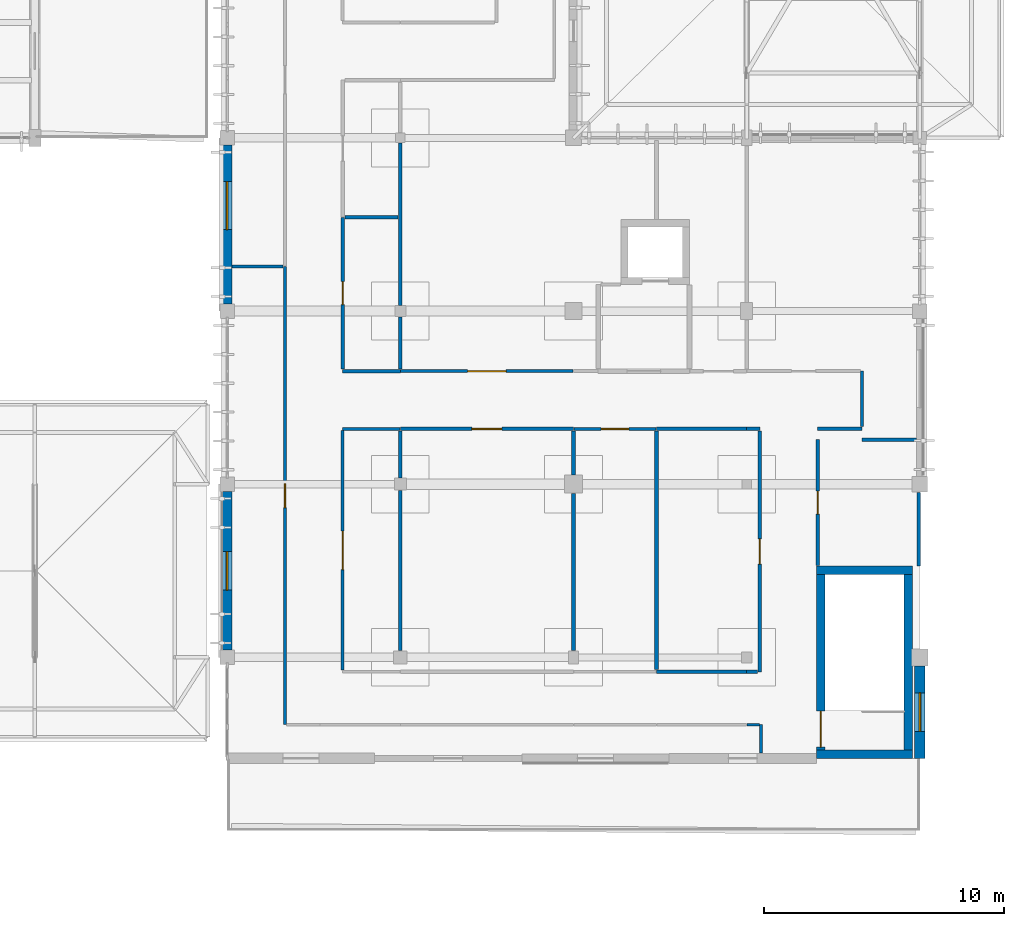
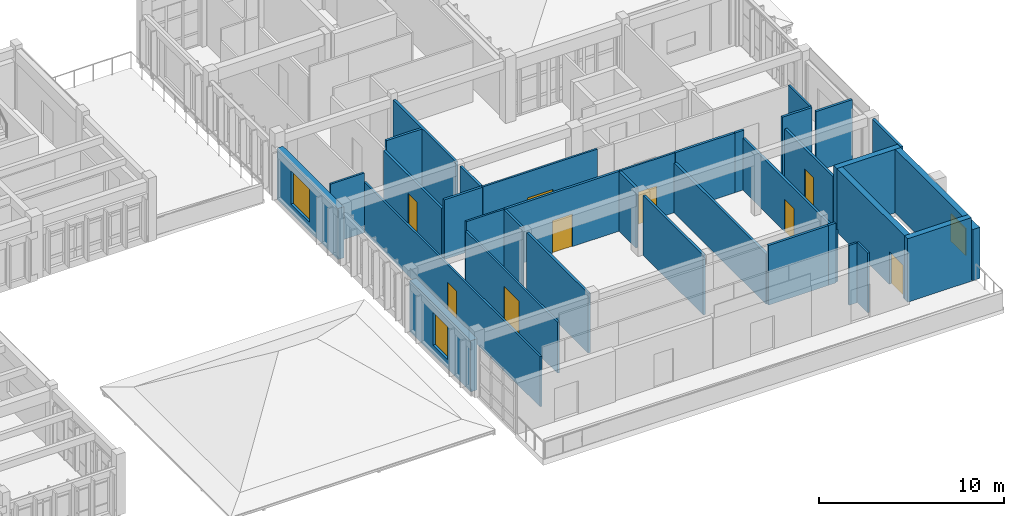
# One storey, part 34 of 51: 36 walls, 9 doors, 3 windows, 12 openings.
"""IFC4 building model written with IfcOpenShell, lengths in metres."""

from ifc_helpers import new_model, si_unit, direction, frame, frame_2d, origin, place, context, subcontext, project, spatial, rectangle, extrude, material, layer, layer_set, type_object, element, fill, save


model = new_model("IFC4")

# Units and contexts
model_context = context("Model", 3, precision=1e-05, world=origin(), true_north=direction((0.0, 1.0)))
body_context = subcontext(model_context, "Body", "Model", "MODEL_VIEW")
ifc_project = project(units=[si_unit("LENGTHUNIT", "METRE"), si_unit("AREAUNIT", "SQUARE_METRE"), si_unit("VOLUMEUNIT", "CUBIC_METRE"), si_unit("PLANEANGLEUNIT", "RADIAN"), si_unit("MASSUNIT", "GRAM", prefix="KILO")], contexts=[model_context])

# Site, building, storey
site_placement = place(None, origin())
site = spatial("IfcSite", under=ifc_project, at=site_placement, CompositionType="ELEMENT")
building_placement = place(site_placement, origin())
building = spatial("IfcBuilding", under=site, at=building_placement, Name="Steenspoor Specialist Clinic", CompositionType="ELEMENT")
storey_placement = place(building_placement, frame((0.0, 0.0, 17.39990234375)))
storey = spatial("IfcBuildingStorey", under=building, at=storey_placement, Name="L04", CompositionType="ELEMENT", Elevation=17.39990234375)

# Wall, opening, window
ifc_material_1 = material(Name="Extruded clay brick masonry", Category="masonry")
ifc_layer_1 = layer(ifc_material_1, 0.3798828125)
ifc_layer_set_1 = layer_set([ifc_layer_1], Name="Extruded clay brick masonry")
wall_type_1 = type_object("IfcWallType", Name="W-BRICK-380", PredefinedType="USERDEFINED", material=ifc_layer_set_1)
wall_1_placement = place(storey_placement, frame((118.0, 87.050048828125, 0.0), z_axis=(0.0, 0.0, 1.0), x_axis=(0.0, 1.0, 0.0)))
wall_1 = element("IfcWall", 1, at=wall_1_placement, inside=storey, type_object=wall_type_1, Name="Exterior Brick Wall EW-V6-L04-0358", ObjectType="CAVITY VENEER", PredefinedType="USERDEFINED", context=body_context, shape_type="SweptSolid", body=[
    extrude(rectangle(XDim=6.599853515625, YDim=0.3798828125, at=frame_2d((3.2998046875, 0.0))), origin(), (0.0, 0.0, 1.0), 3.380126953125),
])
opening_1_placement = place(wall_1_placement, frame((3.0849609375, 0.0, 0.60009765625)))
opening_1 = element("IfcOpeningElement", 2, at=opening_1_placement, cuts=wall_1, Name="Opening WN-17", PredefinedType="OPENING", context=body_context, shape_type="SweptSolid", body=[
    extrude(rectangle(XDim=2.0, YDim=2.199951171875, at=frame_2d((1.0, 1.10009765625))), frame((0.0, 0.199951171875, 0.0), z_axis=(0.0, -1.0, 0.0), x_axis=(1.0, 0.0, 0.0)), (0.0, 0.0, 1.0), 0.39990234375),
])
ifc_material_2 = material(Name="Thermally broken aluminium and low-emissivity glass", Category="aluminium")
window_type_1 = type_object("IfcWindowType", Name="WN-EXT-200X220", PartitioningType="SINGLE_PANEL", PredefinedType="WINDOW", material=ifc_material_2)
window_1_placement = place(opening_1_placement, origin())
window_1 = element("IfcWindow", 3, at=window_1_placement, inside=storey, type_object=window_type_1, Name="Window 0373", OverallHeight=2.199951171875, OverallWidth=2.0, PartitioningType="SINGLE_PANEL", PredefinedType="WINDOW", context=body_context, shape_type="SweptSolid", body=[
    extrude(rectangle(XDim=2.0, YDim=2.199951171875, at=frame_2d((1.0, 1.10009765625))), frame((0.0, 0.030029296875, 0.0), z_axis=(0.0, -1.0, 0.0), x_axis=(1.0, 0.0, 0.0)), (0.0, 0.0, 1.0), 0.06005859375),
])
fill(opening_1, window_1)

ifc_layer_2 = layer(ifc_material_1, 0.409912109375)
ifc_layer_set_2 = layer_set([ifc_layer_2], Name="Extruded clay brick masonry")
wall_type_2 = type_object("IfcWallType", Name="W-BRICK-410", PredefinedType="USERDEFINED", material=ifc_layer_set_2)
wall_2_placement = place(storey_placement, frame((118.0, 72.64990234375, 0.0), z_axis=(0.0, 0.0, 1.0), x_axis=(0.0, 1.0, 0.0)))
wall_2 = element("IfcWall", 4, at=wall_2_placement, inside=storey, type_object=wall_type_2, Name="Exterior Brick Wall EW-V6-L04-0357", ObjectType="CAVITY VENEER", PredefinedType="USERDEFINED", context=body_context, shape_type="SweptSolid", body=[
    extrude(rectangle(XDim=6.60009765625, YDim=0.409912109375, at=frame_2d((3.300048828125, 0.0))), origin(), (0.0, 0.0, 1.0), 3.380126953125),
])
opening_2_placement = place(wall_2_placement, frame((2.5, 0.0, 0.60009765625)))
opening_2 = element("IfcOpeningElement", 5, at=opening_2_placement, cuts=wall_2, Name="Opening WN-16", PredefinedType="OPENING", context=body_context, shape_type="SweptSolid", body=[
    extrude(rectangle(XDim=1.60009765625, YDim=2.199951171875, at=frame_2d((0.800048828125, 1.10009765625))), frame((0.0, 0.21484375, 0.0), z_axis=(0.0, -1.0, 0.0), x_axis=(1.0, 0.0, 0.0)), (0.0, 0.0, 1.0), 0.429931640625),
])
window_type_2 = type_object("IfcWindowType", Name="WN-EXT-160X220", PartitioningType="SINGLE_PANEL", PredefinedType="WINDOW", material=ifc_material_2)
window_2_placement = place(opening_2_placement, origin())
window_2 = element("IfcWindow", 6, at=window_2_placement, inside=storey, type_object=window_type_2, Name="Window 0372", OverallHeight=2.199951171875, OverallWidth=1.60009765625, PartitioningType="SINGLE_PANEL", PredefinedType="WINDOW", context=body_context, shape_type="SweptSolid", body=[
    extrude(rectangle(XDim=1.60009765625, YDim=2.199951171875, at=frame_2d((0.800048828125, 1.10009765625))), frame((0.0, 0.030029296875, 0.0), z_axis=(0.0, -1.0, 0.0), x_axis=(1.0, 0.0, 0.0)), (0.0, 0.0, 1.0), 0.06005859375),
])
fill(opening_2, window_2)

ifc_layer_3 = layer(ifc_material_1, 0.43994140625)
ifc_layer_set_3 = layer_set([ifc_layer_3], Name="Extruded clay brick masonry")
wall_type_3 = type_object("IfcWallType", Name="W-BRICK-440", PredefinedType="USERDEFINED", material=ifc_layer_set_3)
wall_3_placement = place(storey_placement, frame((146.800048828125, 72.0, 0.0), z_axis=(0.0, 0.0, 1.0), x_axis=(0.0, -1.0, 0.0)))
wall_3 = element("IfcWall", 7, at=wall_3_placement, inside=storey, type_object=wall_type_3, Name="Exterior Brick Wall EW-V6-L04-0352", ObjectType="CAVITY VENEER", PredefinedType="USERDEFINED", context=body_context, shape_type="SweptSolid", body=[
    extrude(rectangle(XDim=3.85009765625, YDim=0.43994140625, at=frame_2d((1.925048828125, 0.0))), origin(), (0.0, 0.0, 1.0), 3.380126953125),
])
opening_3_placement = place(wall_3_placement, frame((1.125, 0.0, 0.89990234375)))
opening_3 = element("IfcOpeningElement", 8, at=opening_3_placement, cuts=wall_3, Name="Opening WN-07", PredefinedType="OPENING", context=body_context, shape_type="SweptSolid", body=[
    extrude(rectangle(XDim=1.60009765625, YDim=1.800048828125, at=frame_2d((0.800048828125, 0.89990234375))), frame((0.0, 0.22998046875, 0.0), z_axis=(0.0, -1.0, 0.0), x_axis=(1.0, 0.0, 0.0)), (0.0, 0.0, 1.0), 0.4599609375),
])
window_type_3 = type_object("IfcWindowType", Name="WN-EXT-160X180", PartitioningType="SINGLE_PANEL", PredefinedType="WINDOW", material=ifc_material_2)
window_3_placement = place(opening_3_placement, origin())
window_3 = element("IfcWindow", 9, at=window_3_placement, inside=storey, type_object=window_type_3, Name="Window 0371", OverallHeight=1.800048828125, OverallWidth=1.60009765625, PartitioningType="SINGLE_PANEL", PredefinedType="WINDOW", context=body_context, shape_type="SweptSolid", body=[
    extrude(rectangle(XDim=1.60009765625, YDim=1.800048828125, at=frame_2d((0.800048828125, 0.89990234375))), frame((0.0, 0.030029296875, 0.0), z_axis=(0.0, -1.0, 0.0), x_axis=(1.0, 0.0, 0.0)), (0.0, 0.0, 1.0), 0.06005859375),
])
fill(opening_3, window_3)

# Wall, opening, door
ifc_material_3 = material(Name="Gypsum acoustic clinical partition", Category="gypsum")
ifc_layer_4 = layer(ifc_material_3, 0.14990234375)
ifc_layer_set_4 = layer_set([ifc_layer_4], Name="Gypsum acoustic clinical partition")
wall_type_4 = type_object("IfcWallType", Name="W-CLIN-150", PredefinedType="PARTITIONING", material=ifc_layer_set_4)
wall_4_placement = place(storey_placement, frame((142.550048828125, 76.1650390625, 0.0), z_axis=(0.0, 0.0, 1.0), x_axis=(0.0, 1.0, 0.0)))
wall_4 = element("IfcWall", 10, at=wall_4_placement, inside=storey, type_object=wall_type_4, Name="Interior Partition IW-V6-L04-1824", PredefinedType="PARTITIONING", context=body_context, shape_type="SweptSolid", body=[
    extrude(rectangle(XDim=5.23486328125, YDim=0.14990234375, at=frame_2d((2.617431640625, 0.0))), origin(), (0.0, 0.0, 1.0), 3.440185546875),
])
opening_4_placement = place(wall_4_placement, frame((2.142578125, 0.0, 0.0)))
opening_4 = element("IfcOpeningElement", 11, at=opening_4_placement, cuts=wall_4, Name="Opening D0504", PredefinedType="OPENING", context=body_context, shape_type="SweptSolid", body=[
    extrude(rectangle(XDim=0.949951171875, YDim=2.10009765625, at=frame_2d((0.47509765625, 1.050048828125))), frame((0.0, 0.0849609375, 0.0), z_axis=(0.0, -1.0, 0.0), x_axis=(1.0, 0.0, 0.0)), (0.0, 0.0, 1.0), 0.169921875),
])
ifc_material_4 = material(Name="Moisture-resistant HPL sanitary door", Category="wood")
door_type_1 = type_object("IfcDoorType", Name="DT-WC-095X210", OperationType="NOTDEFINED", PredefinedType="DOOR", material=ifc_material_4)
door_1_placement = place(opening_4_placement, origin())
door_1 = element("IfcDoor", 12, at=door_1_placement, inside=storey, type_object=door_type_1, Name="Clinical Door D0504", OperationType="SINGLE_SWING_LEFT", OverallHeight=2.10009765625, OverallWidth=0.949951171875, PredefinedType="DOOR", context=body_context, shape_type="SweptSolid", body=[
    extrude(rectangle(XDim=0.949951171875, YDim=2.10009765625, at=frame_2d((0.47509765625, 1.050048828125))), frame((0.0, 0.02490234375, 0.0), z_axis=(0.0, -1.0, 0.0), x_axis=(1.0, 0.0, 0.0)), (0.0, 0.0, 1.0), 0.050048828125),
])
fill(opening_4, door_1)

# Wall
wall_5_placement = place(storey_placement, frame((142.550048828125, 81.85009765625, 0.0), z_axis=(0.0, 0.0, 1.0), x_axis=(1.0, 0.0, 0.0)))
element("IfcWall", 13, at=wall_5_placement, inside=storey, type_object=wall_type_4, Name="Interior Partition IW-V6-L04-1825", PredefinedType="PARTITIONING", context=body_context, shape_type="SweptSolid", body=[
    extrude(rectangle(XDim=1.849853515625, YDim=0.14990234375, at=frame_2d((0.9248046875, 0.0))), origin(), (0.0, 0.0, 1.0), 3.9501953125),
])

# Wall, opening, door
wall_6_placement = place(storey_placement, frame((125.199951171875, 81.85009765625, 0.0), z_axis=(0.0, 0.0, 1.0), x_axis=(1.0, 0.0, 0.0)))
wall_6 = element("IfcWall", 14, at=wall_6_placement, inside=storey, type_object=wall_type_4, Name="Interior Partition IW-V6-L04-1826", PredefinedType="PARTITIONING", context=body_context, shape_type="SweptSolid", body=[
    extrude(rectangle(XDim=7.199951171875, YDim=0.14990234375, at=frame_2d((3.60009765625, 0.0))), origin(), (0.0, 0.0, 1.0), 3.9501953125),
])
opening_5_placement = place(wall_6_placement, frame((2.97509765625, 0.0, 0.0)))
opening_5 = element("IfcOpeningElement", 15, at=opening_5_placement, cuts=wall_6, Name="Opening D0506", PredefinedType="OPENING", context=body_context, shape_type="SweptSolid", body=[
    extrude(rectangle(XDim=1.25, YDim=2.14990234375, at=frame_2d((0.625, 1.074951171875))), frame((0.0, 0.0849609375, 0.0), z_axis=(0.0, -1.0, 0.0), x_axis=(1.0, 0.0, 0.0)), (0.0, 0.0, 1.0), 0.169921875),
])
ifc_material_5 = material(Name="Hygienic HPL clinical timber door", Category="wood")
door_type_2 = type_object("IfcDoorType", Name="DT-EXAM-125X215", OperationType="NOTDEFINED", PredefinedType="DOOR", material=ifc_material_5)
door_2_placement = place(opening_5_placement, origin())
door_2 = element("IfcDoor", 16, at=door_2_placement, inside=storey, type_object=door_type_2, Name="Clinical Door D0506", OperationType="SINGLE_SWING_LEFT", OverallHeight=2.14990234375, OverallWidth=1.25, PredefinedType="DOOR", context=body_context, shape_type="SweptSolid", body=[
    extrude(rectangle(XDim=1.25, YDim=2.14990234375, at=frame_2d((0.625, 1.074951171875))), frame((0.0, 0.02490234375, 0.0), z_axis=(0.0, -1.0, 0.0), x_axis=(1.0, 0.0, 0.0)), (0.0, 0.0, 1.0), 0.050048828125),
])
fill(opening_5, door_2)

# Wall
wall_7_placement = place(storey_placement, frame((139.60009765625, 81.85009765625, 0.0), z_axis=(0.0, 0.0, 1.0), x_axis=(1.0, 0.0, 0.0)))
element("IfcWall", 17, at=wall_7_placement, inside=storey, type_object=wall_type_4, Name="Interior Partition IW-V6-L04-1828", PredefinedType="PARTITIONING", context=body_context, shape_type="SweptSolid", body=[
    extrude(rectangle(XDim=0.5498046875, YDim=0.14990234375, at=frame_2d((0.27490234375, 0.0))), origin(), (0.0, 0.0, 1.0), 3.9501953125),
])

# Wall, opening, door
wall_8_placement = place(storey_placement, frame((140.14990234375, 71.75, 0.0), z_axis=(0.0, 0.0, 1.0), x_axis=(0.0, 1.0, 0.0)))
wall_8 = element("IfcWall", 18, at=wall_8_placement, inside=storey, type_object=wall_type_4, Name="Interior Partition IW-V6-L04-1829", PredefinedType="PARTITIONING", context=body_context, shape_type="SweptSolid", body=[
    extrude(rectangle(XDim=10.010009765625, YDim=0.14990234375, at=frame_2d((5.0048828125, 0.0))), origin(), (0.0, 0.0, 1.0), 3.440185546875),
])
opening_6_placement = place(wall_8_placement, frame((4.47998046875, 0.0, 0.0)))
opening_6 = element("IfcOpeningElement", 19, at=opening_6_placement, cuts=wall_8, Name="Opening D0508", PredefinedType="OPENING", context=body_context, shape_type="SweptSolid", body=[
    extrude(rectangle(XDim=1.050048828125, YDim=2.14990234375, at=frame_2d((0.52490234375, 1.074951171875))), frame((0.0, 0.0849609375, 0.0), z_axis=(0.0, -1.0, 0.0), x_axis=(1.0, 0.0, 0.0)), (0.0, 0.0, 1.0), 0.169921875),
])
ifc_material_6 = material(Name="Solid-core hardwood office door", Category="wood")
door_type_3 = type_object("IfcDoorType", Name="DT-OFF-105X215", OperationType="NOTDEFINED", PredefinedType="DOOR", material=ifc_material_6)
door_3_placement = place(opening_6_placement, origin())
door_3 = element("IfcDoor", 20, at=door_3_placement, inside=storey, type_object=door_type_3, Name="Clinical Door D0508", OperationType="SINGLE_SWING_LEFT", OverallHeight=2.14990234375, OverallWidth=1.050048828125, PredefinedType="DOOR", context=body_context, shape_type="SweptSolid", body=[
    extrude(rectangle(XDim=1.050048828125, YDim=2.14990234375, at=frame_2d((0.52490234375, 1.074951171875))), frame((0.0, 0.02490234375, 0.0), z_axis=(0.0, -1.0, 0.0), x_axis=(1.0, 0.0, 0.0)), (0.0, 0.0, 1.0), 0.050048828125),
])
fill(opening_6, door_3)

# Walls
wall_9_placement = place(storey_placement, frame((139.60009765625, 71.75, 0.0), z_axis=(0.0, 0.0, 1.0), x_axis=(1.0, 0.0, 0.0)))
element("IfcWall", 21, at=wall_9_placement, inside=storey, type_object=wall_type_4, Name="Interior Partition IW-V6-L04-1830", PredefinedType="PARTITIONING", context=body_context, shape_type="SweptSolid", body=[
    extrude(rectangle(XDim=0.4599609375, YDim=0.14990234375, at=frame_2d((0.22998046875, 0.0))), origin(), (0.0, 0.0, 1.0), 3.9501953125),
])
for number, where, z_axis, x_axis, name in (
    (22, (135.85009765625, 71.75, 0.0), (0.0, 0.0, 1.0), (1.0, 0.0, 0.0), "Interior Partition IW-V6-L04-1831"),
    (23, (135.85009765625, 81.85009765625, 0.0), (0.0, 0.0, 1.0), (1.0, 0.0, 0.0), "Interior Partition IW-V6-L04-1832"),
):
    element("IfcWall", number, at=place(storey_placement, frame(where, z_axis=z_axis, x_axis=x_axis)), inside=storey, type_object=wall_type_4, Name=name, PredefinedType="PARTITIONING", context=body_context, shape_type="SweptSolid", body=[
        extrude(rectangle(XDim=3.73486328125, YDim=0.14990234375, at=frame_2d((1.867431640625, 0.0))), origin(), (0.0, 0.0, 1.0), 3.9501953125),
    ])
wall_10_placement = place(storey_placement, frame((122.800048828125, 84.25, 0.0), z_axis=(0.0, 0.0, 1.0), x_axis=(1.0, 0.0, 0.0)))
element("IfcWall", 24, at=wall_10_placement, inside=storey, type_object=wall_type_4, Name="Interior Partition IW-V6-L04-1833", PredefinedType="PARTITIONING", context=body_context, shape_type="SweptSolid", body=[
    extrude(rectangle(XDim=2.39990234375, YDim=0.14990234375, at=frame_2d((1.199951171875, 0.0))), origin(), (0.0, 0.0, 1.0), 3.9501953125),
])

# Wall, opening, door
wall_11_placement = place(storey_placement, frame((122.800048828125, 84.340087890625, 0.0), z_axis=(0.0, 0.0, 1.0), x_axis=(0.0, 1.0, 0.0)))
wall_11 = element("IfcWall", 25, at=wall_11_placement, inside=storey, type_object=wall_type_4, Name="Interior Partition IW-V6-L04-1834", PredefinedType="PARTITIONING", context=body_context, shape_type="SweptSolid", body=[
    extrude(rectangle(XDim=6.309814453125, YDim=0.14990234375, at=frame_2d((3.15478515625, 0.0))), origin(), (0.0, 0.0, 1.0), 3.320068359375),
])
opening_7_placement = place(wall_11_placement, frame((2.679931640625, 0.0, 0.0)))
opening_7 = element("IfcOpeningElement", 26, at=opening_7_placement, cuts=wall_11, Name="Opening D0510", PredefinedType="OPENING", context=body_context, shape_type="SweptSolid", body=[
    extrude(rectangle(XDim=0.949951171875, YDim=2.10009765625, at=frame_2d((0.47509765625, 1.050048828125))), frame((0.0, 0.0849609375, 0.0), z_axis=(0.0, -1.0, 0.0), x_axis=(1.0, 0.0, 0.0)), (0.0, 0.0, 1.0), 0.169921875),
])
door_4_placement = place(opening_7_placement, origin())
door_4 = element("IfcDoor", 27, at=door_4_placement, inside=storey, type_object=door_type_1, Name="Clinical Door D0510", OperationType="SINGLE_SWING_LEFT", OverallHeight=2.10009765625, OverallWidth=0.949951171875, PredefinedType="DOOR", context=body_context, shape_type="SweptSolid", body=[
    extrude(rectangle(XDim=0.949951171875, YDim=2.10009765625, at=frame_2d((0.47509765625, 1.050048828125))), frame((0.0, 0.02490234375, 0.0), z_axis=(0.0, -1.0, 0.0), x_axis=(1.0, 0.0, 0.0)), (0.0, 0.0, 1.0), 0.050048828125),
])
fill(opening_7, door_4)

# Walls
wall_12_placement = place(storey_placement, frame((144.39990234375, 81.39990234375, 0.0), z_axis=(0.0, 0.0, 1.0), x_axis=(1.0, 0.0, 0.0)))
element("IfcWall", 28, at=wall_12_placement, inside=storey, type_object=wall_type_4, Name="Interior Partition IW-V6-L04-1912", PredefinedType="PARTITIONING", context=body_context, shape_type="SweptSolid", body=[
    extrude(rectangle(XDim=2.255126953125, YDim=0.14990234375, at=frame_2d((1.12744140625, 0.0))), origin(), (0.0, 0.0, 1.0), 3.9501953125),
])
wall_13_placement = place(storey_placement, frame((146.760009765625, 76.14990234375, 0.0), z_axis=(0.0, 0.0, 1.0), x_axis=(0.0, 1.0, 0.0)))
element("IfcWall", 29, at=wall_13_placement, inside=storey, type_object=wall_type_4, Name="Interior Partition IW-V6-L04-1913", PredefinedType="PARTITIONING", context=body_context, shape_type="SweptSolid", body=[
    extrude(rectangle(XDim=3.06005859375, YDim=0.14990234375, at=frame_2d((1.530029296875, 0.0))), origin(), (0.0, 0.0, 1.0), 3.9501953125),
])
wall_14_placement = place(storey_placement, frame((125.199951171875, 72.639892578125, 0.0), z_axis=(0.0, 0.0, 1.0), x_axis=(0.0, 1.0, 0.0)))
element("IfcWall", 30, at=wall_14_placement, inside=storey, type_object=wall_type_4, Name="Interior Partition IW-V6-L04-1914", PredefinedType="PARTITIONING", context=body_context, shape_type="SweptSolid", body=[
    extrude(rectangle(XDim=6.64501953125, YDim=0.14990234375, at=frame_2d((3.322509765625, 0.0))), origin(), (0.0, 0.0, 1.0), 3.9501953125),
])
wall_15_placement = place(storey_placement, frame((125.199951171875, 79.81494140625, 0.0), z_axis=(0.0, 0.0, 1.0), x_axis=(0.0, 1.0, 0.0)))
element("IfcWall", 31, at=wall_15_placement, inside=storey, type_object=wall_type_4, Name="Interior Partition IW-V6-L04-1915", PredefinedType="PARTITIONING", context=body_context, shape_type="SweptSolid", body=[
    extrude(rectangle(XDim=1.945068359375, YDim=0.14990234375, at=frame_2d((0.97265625, 0.0))), origin(), (0.0, 0.0, 1.0), 3.9501953125),
])
wall_16_placement = place(storey_placement, frame((132.39990234375, 72.639892578125, 0.0), z_axis=(0.0, 0.0, 1.0), x_axis=(0.0, 1.0, 0.0)))
element("IfcWall", 32, at=wall_16_placement, inside=storey, type_object=wall_type_4, Name="Interior Partition IW-V6-L04-1916", PredefinedType="PARTITIONING", context=body_context, shape_type="SweptSolid", body=[
    extrude(rectangle(XDim=6.52001953125, YDim=0.14990234375, at=frame_2d((3.260009765625, 0.0))), origin(), (0.0, 0.0, 1.0), 3.9501953125),
])
wall_17_placement = place(storey_placement, frame((132.39990234375, 79.93994140625, 0.0), z_axis=(0.0, 0.0, 1.0), x_axis=(0.0, 1.0, 0.0)))
element("IfcWall", 33, at=wall_17_placement, inside=storey, type_object=wall_type_4, Name="Interior Partition IW-V6-L04-1917", PredefinedType="PARTITIONING", context=body_context, shape_type="SweptSolid", body=[
    extrude(rectangle(XDim=1.820068359375, YDim=0.14990234375, at=frame_2d((0.91015625, 0.0))), origin(), (0.0, 0.0, 1.0), 3.9501953125),
])
wall_18_placement = place(storey_placement, frame((135.85009765625, 71.840087890625, 0.0), z_axis=(0.0, 0.0, 1.0), x_axis=(0.0, 1.0, 0.0)))
element("IfcWall", 34, at=wall_18_placement, inside=storey, type_object=wall_type_4, Name="Interior Partition IW-V6-L04-1918", PredefinedType="PARTITIONING", context=body_context, shape_type="SweptSolid", body=[
    extrude(rectangle(XDim=9.919921875, YDim=0.14990234375, at=frame_2d((4.9599609375, 0.0))), origin(), (0.0, 0.0, 1.0), 3.320068359375),
])
wall_19_placement = place(storey_placement, frame((125.199951171875, 84.340087890625, 0.0), z_axis=(0.0, 0.0, 1.0), x_axis=(0.0, 1.0, 0.0)))
element("IfcWall", 35, at=wall_19_placement, inside=storey, type_object=wall_type_4, Name="Interior Partition IW-V6-L04-1921", PredefinedType="PARTITIONING", context=body_context, shape_type="SweptSolid", body=[
    extrude(rectangle(XDim=2.169921875, YDim=0.14990234375, at=frame_2d((1.0849609375, 0.0))), origin(), (0.0, 0.0, 1.0), 3.9501953125),
])
wall_20_placement = place(storey_placement, frame((125.199951171875, 86.989990234375, 0.0), z_axis=(0.0, 0.0, 1.0), x_axis=(0.0, 1.0, 0.0)))
element("IfcWall", 36, at=wall_20_placement, inside=storey, type_object=wall_type_4, Name="Interior Partition IW-V6-L04-1922", PredefinedType="PARTITIONING", context=body_context, shape_type="SweptSolid", body=[
    extrude(rectangle(XDim=6.7451171875, YDim=0.14990234375, at=frame_2d((3.37255859375, 0.0))), origin(), (0.0, 0.0, 1.0), 3.9501953125),
])
wall_21_placement = place(storey_placement, frame((122.889892578125, 90.64990234375, 0.0), z_axis=(0.0, 0.0, 1.0), x_axis=(1.0, 0.0, 0.0)))
element("IfcWall", 37, at=wall_21_placement, inside=storey, type_object=wall_type_4, Name="Interior Partition IW-V6-L04-1924", PredefinedType="PARTITIONING", context=body_context, shape_type="SweptSolid", body=[
    extrude(rectangle(XDim=2.22021484375, YDim=0.14990234375, at=frame_2d((1.110107421875, 0.0))), origin(), (0.0, 0.0, 1.0), 3.9501953125),
])
ifc_material_7 = material(Name="Gypsum studio partition board", Category="gypsum")
ifc_layer_5 = layer(ifc_material_7, 0.1201171875)
ifc_layer_set_5 = layer_set([ifc_layer_5], Name="Gypsum studio partition board")
wall_type_5 = type_object("IfcWallType", Name="W-PART-120", PredefinedType="PARTITIONING", material=ifc_layer_set_5)
wall_22_placement = place(storey_placement, frame((140.199951171875, 68.3701171875, 0.0), z_axis=(0.0, 0.0, 1.0), x_axis=(0.0, 1.0, 0.0)))
element("IfcWall", 38, at=wall_22_placement, inside=storey, type_object=wall_type_5, Name="Interior Partition IW-V6-L04-1873", PredefinedType="PARTITIONING", context=body_context, shape_type="SweptSolid", body=[
    extrude(rectangle(XDim=1.179931640625, YDim=0.1201171875, at=frame_2d((0.58984375, 0.0))), origin(), (0.0, 0.0, 1.0), 3.9501953125),
])

# Wall, opening, door
wall_23_placement = place(storey_placement, frame((120.39990234375, 69.550048828125, 0.0), z_axis=(0.0, 0.0, 1.0), x_axis=(0.0, 1.0, 0.0)))
wall_23 = element("IfcWall", 39, at=wall_23_placement, inside=storey, type_object=wall_type_5, Name="Interior Partition IW-V6-L04-1874", PredefinedType="PARTITIONING", context=body_context, shape_type="SweptSolid", body=[
    extrude(rectangle(XDim=19.050048828125, YDim=0.1201171875, at=frame_2d((9.52490234375, 0.0))), origin(), (0.0, 0.0, 1.0), 3.320068359375),
])
opening_8_placement = place(wall_23_placement, frame((9.02490234375, 0.0, 0.0)))
opening_8 = element("IfcOpeningElement", 40, at=opening_8_placement, cuts=wall_23, Name="Opening D0503", PredefinedType="OPENING", context=body_context, shape_type="SweptSolid", body=[
    extrude(rectangle(XDim=1.0, YDim=2.14990234375, at=frame_2d((0.5, 1.074951171875))), frame((0.0, 0.070068359375, 0.0), z_axis=(0.0, -1.0, 0.0), x_axis=(1.0, 0.0, 0.0)), (0.0, 0.0, 1.0), 0.14013671875),
])
ifc_material_8 = material(Name="Moisture-resistant HPL accessible WC door", Category="wood")
door_type_4 = type_object("IfcDoorType", Name="DT-AWC-100X215", OperationType="NOTDEFINED", PredefinedType="DOOR", material=ifc_material_8)
door_5_placement = place(opening_8_placement, origin())
door_5 = element("IfcDoor", 41, at=door_5_placement, inside=storey, type_object=door_type_4, Name="Clinical Door D0503", OperationType="SINGLE_SWING_RIGHT", OverallHeight=2.14990234375, OverallWidth=1.0, PredefinedType="DOOR", context=body_context, shape_type="SweptSolid", body=[
    extrude(rectangle(XDim=1.0, YDim=2.14990234375, at=frame_2d((0.5, 1.074951171875))), frame((0.0, 0.02490234375, 0.0), z_axis=(0.0, -1.0, 0.0), x_axis=(1.0, 0.0, 0.0)), (0.0, 0.0, 1.0), 0.050048828125),
])
fill(opening_8, door_5)

# Walls
wall_24_placement = place(storey_placement, frame((139.614990234375, 69.550048828125, 0.0), z_axis=(0.0, 0.0, 1.0), x_axis=(1.0, 0.0, 0.0)))
element("IfcWall", 42, at=wall_24_placement, inside=storey, type_object=wall_type_5, Name="Interior Partition IW-V6-L04-1880", PredefinedType="PARTITIONING", context=body_context, shape_type="SweptSolid", body=[
    extrude(rectangle(XDim=0.510009765625, YDim=0.1201171875, at=frame_2d((0.2548828125, 0.0))), origin(), (0.0, 0.0, 1.0), 3.9501953125),
])
wall_25_placement = place(storey_placement, frame((122.800048828125, 81.85009765625, 0.0), z_axis=(0.0, 0.0, 1.0), x_axis=(1.0, 0.0, 0.0)))
element("IfcWall", 43, at=wall_25_placement, inside=storey, type_object=wall_type_5, Name="Interior Partition IW-V6-L04-1881", PredefinedType="PARTITIONING", context=body_context, shape_type="SweptSolid", body=[
    extrude(rectangle(XDim=2.385009765625, YDim=0.1201171875, at=frame_2d((1.1923828125, 0.0))), origin(), (0.0, 0.0, 1.0), 3.9501953125),
])

# Wall, opening, door
wall_26_placement = place(storey_placement, frame((122.800048828125, 71.824951171875, 0.0), z_axis=(0.0, 0.0, 1.0), x_axis=(0.0, 1.0, 0.0)))
wall_26 = element("IfcWall", 44, at=wall_26_placement, inside=storey, type_object=wall_type_5, Name="Interior Partition IW-V6-L04-1883", PredefinedType="PARTITIONING", context=body_context, shape_type="SweptSolid", body=[
    extrude(rectangle(XDim=9.949951171875, YDim=0.1201171875, at=frame_2d((4.97509765625, 0.0))), origin(), (0.0, 0.0, 1.0), 3.3701171875),
])
opening_9_placement = place(wall_26_placement, frame((4.175048828125, 0.0, 0.0)))
opening_9 = element("IfcOpeningElement", 45, at=opening_9_placement, cuts=wall_26, Name="Opening D0505", PredefinedType="OPENING", context=body_context, shape_type="SweptSolid", body=[
    extrude(rectangle(XDim=1.60009765625, YDim=2.25, at=frame_2d((0.800048828125, 1.125))), frame((0.0, 0.070068359375, 0.0), z_axis=(0.0, -1.0, 0.0), x_axis=(1.0, 0.0, 0.0)), (0.0, 0.0, 1.0), 0.14013671875),
])
door_type_5 = type_object("IfcDoorType", Name="DT-PROC-160X225", OperationType="NOTDEFINED", PredefinedType="DOOR", material=ifc_material_5)
door_6_placement = place(opening_9_placement, origin())
door_6 = element("IfcDoor", 46, at=door_6_placement, inside=storey, type_object=door_type_5, Name="Clinical Door D0505", OperationType="SINGLE_SWING_RIGHT", OverallHeight=2.25, OverallWidth=1.60009765625, PredefinedType="DOOR", context=body_context, shape_type="SweptSolid", body=[
    extrude(rectangle(XDim=1.60009765625, YDim=2.25, at=frame_2d((0.800048828125, 1.125))), frame((0.0, 0.02490234375, 0.0), z_axis=(0.0, -1.0, 0.0), x_axis=(1.0, 0.0, 0.0)), (0.0, 0.0, 1.0), 0.050048828125),
])
fill(opening_9, door_6)

wall_27_placement = place(storey_placement, frame((132.4150390625, 81.85009765625, 0.0), z_axis=(0.0, 0.0, 1.0), x_axis=(1.0, 0.0, 0.0)))
wall_27 = element("IfcWall", 47, at=wall_27_placement, inside=storey, type_object=wall_type_5, Name="Interior Partition IW-V6-L04-1884", PredefinedType="PARTITIONING", context=body_context, shape_type="SweptSolid", body=[
    extrude(rectangle(XDim=3.419921875, YDim=0.1201171875, at=frame_2d((1.7099609375, 0.0))), origin(), (0.0, 0.0, 1.0), 3.9501953125),
])
opening_10_placement = place(wall_27_placement, frame((1.135009765625, 0.0, 0.0)))
opening_10 = element("IfcOpeningElement", 48, at=opening_10_placement, cuts=wall_27, Name="Opening D0507", PredefinedType="OPENING", context=body_context, shape_type="SweptSolid", body=[
    extrude(rectangle(XDim=1.14990234375, YDim=2.14990234375, at=frame_2d((0.574951171875, 1.074951171875))), frame((0.0, 0.070068359375, 0.0), z_axis=(0.0, -1.0, 0.0), x_axis=(1.0, 0.0, 0.0)), (0.0, 0.0, 1.0), 0.14013671875),
])
ifc_material_9 = material(Name="Solid-core hardwood clinical door", Category="wood")
door_type_6 = type_object("IfcDoorType", Name="DT-CONS-115X215", OperationType="NOTDEFINED", PredefinedType="DOOR", material=ifc_material_9)
door_7_placement = place(opening_10_placement, origin())
door_7 = element("IfcDoor", 49, at=door_7_placement, inside=storey, type_object=door_type_6, Name="Clinical Door D0507", OperationType="SINGLE_SWING_RIGHT", OverallHeight=2.14990234375, OverallWidth=1.14990234375, PredefinedType="DOOR", context=body_context, shape_type="SweptSolid", body=[
    extrude(rectangle(XDim=1.14990234375, YDim=2.14990234375, at=frame_2d((0.574951171875, 1.074951171875))), frame((0.0, 0.02490234375, 0.0), z_axis=(0.0, -1.0, 0.0), x_axis=(1.0, 0.0, 0.0)), (0.0, 0.0, 1.0), 0.050048828125),
])
fill(opening_10, door_7)

# Wall
wall_28_placement = place(storey_placement, frame((144.39990234375, 81.93994140625, 0.0), z_axis=(0.0, 0.0, 1.0), x_axis=(0.0, 1.0, 0.0)))
element("IfcWall", 50, at=wall_28_placement, inside=storey, type_object=wall_type_5, Name="Interior Partition IW-V6-L04-1886", PredefinedType="PARTITIONING", context=body_context, shape_type="SweptSolid", body=[
    extrude(rectangle(XDim=2.31005859375, YDim=0.1201171875, at=frame_2d((1.155029296875, 0.0))), origin(), (0.0, 0.0, 1.0), 3.9501953125),
])

# Wall, opening, door
wall_29_placement = place(storey_placement, frame((125.215087890625, 84.25, 0.0), z_axis=(0.0, 0.0, 1.0), x_axis=(1.0, 0.0, 0.0)))
wall_29 = element("IfcWall", 51, at=wall_29_placement, inside=storey, type_object=wall_type_5, Name="Interior Partition IW-V6-L04-1889", PredefinedType="PARTITIONING", context=body_context, shape_type="SweptSolid", body=[
    extrude(rectangle(XDim=7.169921875, YDim=0.1201171875, at=frame_2d((3.5849609375, 0.0))), origin(), (0.0, 0.0, 1.0), 3.9501953125),
])
opening_11_placement = place(wall_29_placement, frame((2.784912109375, 0.0, 0.0)))
opening_11 = element("IfcOpeningElement", 52, at=opening_11_placement, cuts=wall_29, Name="Opening D0511", PredefinedType="OPENING", context=body_context, shape_type="SweptSolid", body=[
    extrude(rectangle(XDim=1.60009765625, YDim=2.25, at=frame_2d((0.800048828125, 1.125))), frame((0.0, 0.070068359375, 0.0), z_axis=(0.0, -1.0, 0.0), x_axis=(1.0, 0.0, 0.0)), (0.0, 0.0, 1.0), 0.14013671875),
])
door_8_placement = place(opening_11_placement, origin())
door_8 = element("IfcDoor", 53, at=door_8_placement, inside=storey, type_object=door_type_5, Name="Clinical Door D0511", OperationType="SINGLE_SWING_RIGHT", OverallHeight=2.25, OverallWidth=1.60009765625, PredefinedType="DOOR", context=body_context, shape_type="SweptSolid", body=[
    extrude(rectangle(XDim=1.60009765625, YDim=2.25, at=frame_2d((0.800048828125, 1.125))), frame((0.0, 0.02490234375, 0.0), z_axis=(0.0, -1.0, 0.0), x_axis=(1.0, 0.0, 0.0)), (0.0, 0.0, 1.0), 0.050048828125),
])
fill(opening_11, door_8)

# Walls
wall_30_placement = place(storey_placement, frame((118.205078125, 88.60009765625, 0.0), z_axis=(0.0, 0.0, 1.0), x_axis=(1.0, 0.0, 0.0)))
element("IfcWall", 54, at=wall_30_placement, inside=storey, type_object=wall_type_5, Name="Interior Partition IW-V6-L04-1926", PredefinedType="PARTITIONING", context=body_context, shape_type="SweptSolid", body=[
    extrude(rectangle(XDim=2.119873046875, YDim=0.1201171875, at=frame_2d((1.06005859375, 0.0))), origin(), (0.0, 0.0, 1.0), 3.9501953125),
])
ifc_material_10 = material(Name="Concrete C40/50", Category="concrete")
ifc_layer_6 = layer(ifc_material_10, 0.35009765625)
ifc_layer_set_6 = layer_set([ifc_layer_6], Name="Concrete C40/50")
wall_type_6 = type_object("IfcWallType", Name="W-SW-350", PredefinedType="SHEAR", material=ifc_layer_set_6)
for number, where, z_axis, x_axis, name in (
    (55, (142.5, 68.324951171875, 0.0), (0.0, 0.0, 1.0), (1.0, 0.0, 0.0), "Core Shear Wall SW-ST-V6B-L04-S"),
    (56, (142.5, 75.97509765625, 0.0), (0.0, 0.0, 1.0), (1.0, 0.0, 0.0), "Core Shear Wall SW-ST-V6B-L04-N"),
):
    element("IfcWall", number, at=place(storey_placement, frame(where, z_axis=z_axis, x_axis=x_axis)), inside=storey, type_object=wall_type_6, Name=name, PredefinedType="SHEAR", context=body_context, shape_type="SweptSolid", body=[
        extrude(rectangle(XDim=4.0, YDim=0.35009765625, at=frame_2d((2.0, 0.0))), origin(), (0.0, 0.0, 1.0), 4.2001953125),
    ])

# Wall, opening, door
wall_31_placement = place(storey_placement, frame((142.675048828125, 68.5, 0.0), z_axis=(0.0, 0.0, 1.0), x_axis=(0.0, 1.0, 0.0)))
wall_31 = element("IfcWall", 57, at=wall_31_placement, inside=storey, type_object=wall_type_6, Name="Core Shear Wall SW-ST-V6B-L04-W", PredefinedType="SHEAR", context=body_context, shape_type="SweptSolid", body=[
    extrude(rectangle(XDim=7.300048828125, YDim=0.35009765625, at=frame_2d((3.64990234375, 0.0))), origin(), (0.0, 0.0, 1.0), 4.2001953125),
])
opening_12_placement = place(wall_31_placement, frame((0.1201171875, 0.0, 0.0)))
opening_12 = element("IfcOpeningElement", 58, at=opening_12_placement, cuts=wall_31, Name="Opening SD044", PredefinedType="OPENING", context=body_context, shape_type="SweptSolid", body=[
    extrude(rectangle(XDim=1.5, YDim=2.14990234375, at=frame_2d((0.75, 1.074951171875))), frame((0.0, 0.18505859375, 0.0), z_axis=(0.0, -1.0, 0.0), x_axis=(1.0, 0.0, 0.0)), (0.0, 0.0, 1.0), 0.3701171875),
])
ifc_material_11 = material(Name="Fire-rated steel acoustic door", Category="steel")
door_type_7 = type_object("IfcDoorType", Name="DT-STAIR-150X215", OperationType="NOTDEFINED", PredefinedType="DOOR", material=ifc_material_11)
door_9_placement = place(opening_12_placement, origin())
door_9 = element("IfcDoor", 59, at=door_9_placement, inside=storey, type_object=door_type_7, Name="Exit Stair Fire Door SD044", OperationType="SINGLE_SWING_LEFT", OverallHeight=2.14990234375, OverallWidth=1.5, PredefinedType="DOOR", context=body_context, shape_type="SweptSolid", body=[
    extrude(rectangle(XDim=1.5, YDim=2.14990234375, at=frame_2d((0.75, 1.074951171875))), frame((0.0, 0.02490234375, 0.0), z_axis=(0.0, -1.0, 0.0), x_axis=(1.0, 0.0, 0.0)), (0.0, 0.0, 1.0), 0.050048828125),
])
fill(opening_12, door_9)

# Wall
wall_32_placement = place(storey_placement, frame((146.324951171875, 68.5, 0.0), z_axis=(0.0, 0.0, 1.0), x_axis=(0.0, 1.0, 0.0)))
element("IfcWall", 60, at=wall_32_placement, inside=storey, type_object=wall_type_6, Name="Core Shear Wall SW-ST-V6B-L04-E", PredefinedType="SHEAR", context=body_context, shape_type="SweptSolid", body=[
    extrude(rectangle(XDim=7.300048828125, YDim=0.35009765625, at=frame_2d((3.64990234375, 0.0))), origin(), (0.0, 0.0, 1.0), 4.2001953125),
])

save(model, "model.ifc")
